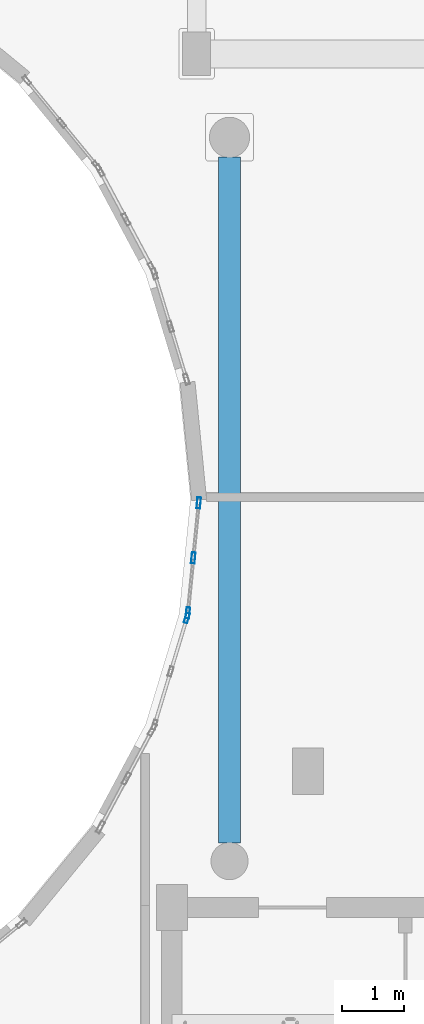
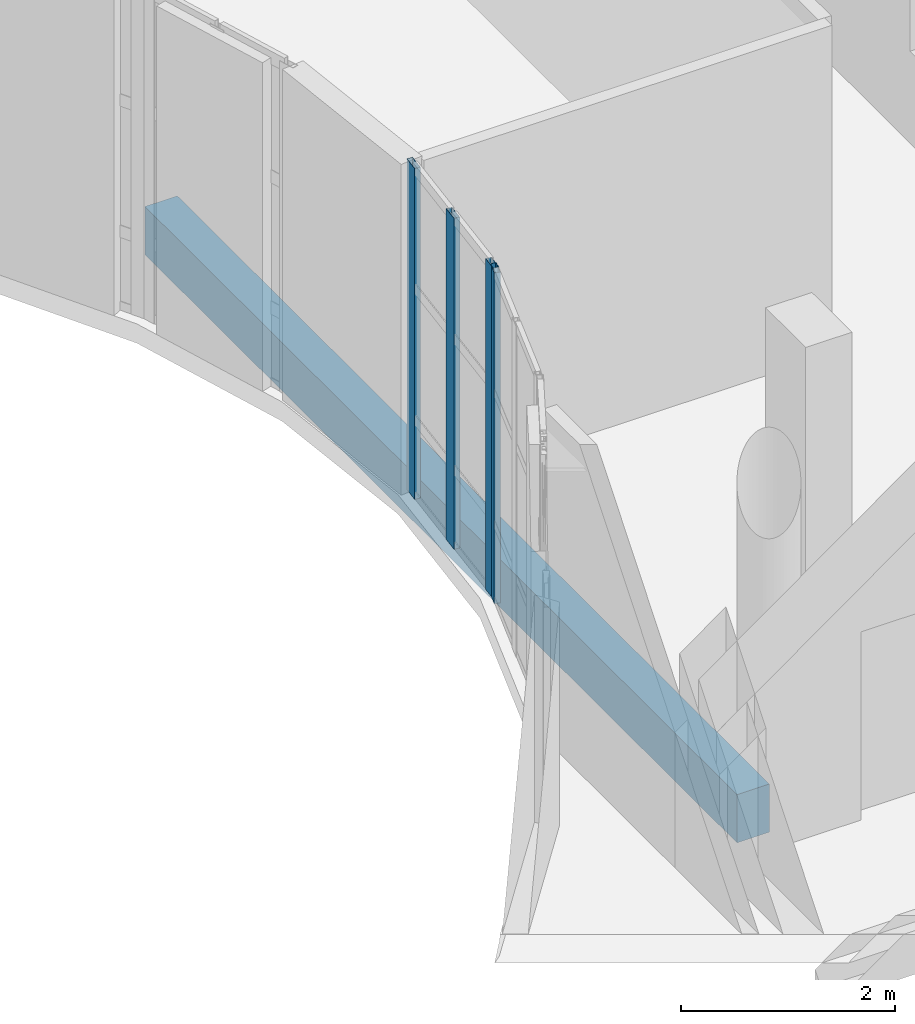
# One storey, part 31 of 89: 4 members, 1 beam, 2 elements without a shape of their own.
"""IFC4 building model written with IfcOpenShell, lengths in metres."""

from ifc_helpers import new_model, si_unit, direction, frame, origin, origin_2d, place, context, subcontext, project, spatial, rectangle, hollow_rectangle, extrude, material, layer, layer_set, material_profile, profile_set, type_object, element, aggregate, save


model = new_model("IFC4")

# Units and contexts
model_context = context("Model", 3, precision=1e-05, world=origin(), true_north=direction((0.0, 1.0)))
body_context = subcontext(model_context, "Body", "Model", "MODEL_VIEW")
ifc_project = project(units=[si_unit("LENGTHUNIT", "METRE"), si_unit("AREAUNIT", "SQUARE_METRE"), si_unit("VOLUMEUNIT", "CUBIC_METRE"), si_unit("PLANEANGLEUNIT", "RADIAN"), si_unit("MASSUNIT", "GRAM", prefix="KILO")], contexts=[model_context])

# Site, building, storey
site_placement = place(None, origin())
site = spatial("IfcSite", under=ifc_project, at=site_placement, CompositionType="ELEMENT")
building_placement = place(site_placement, origin())
building = spatial("IfcBuilding", under=site, at=building_placement, Name="Kelanivale Promenade Academy", CompositionType="ELEMENT")
storey_placement = place(building_placement, frame((0.0, 0.0, 12.199951171875)))
storey = spatial("IfcBuildingStorey", under=building, at=storey_placement, Name="L03", CompositionType="ELEMENT", Elevation=12.199951171875)

# Curtain wall, member
ifc_material_1 = material(Name="Bronze anodised aluminium and solar-control low-E glass", Category="aluminium")
ifc_layer_1 = layer(ifc_material_1, 0.159912109375)
ifc_layer_set_1 = layer_set([ifc_layer_1], Name="Bronze anodised aluminium and solar-control low-E glass")
curtain_wall_type_1 = type_object("IfcCurtainWallType", Name="CW-09 Curtain Wall 1650mm Module", PredefinedType="USERDEFINED", material=ifc_layer_set_1)
curtain_wall_1_placement = place(storey_placement, origin())
curtain_wall_1 = element("IfcCurtainWall", 1, at=curtain_wall_1_placement, inside=storey, type_object=curtain_wall_type_1, Name="L03 courtyard curtain wall CW-09", ObjectType="UNITISED GLAZING", PredefinedType="USERDEFINED")
ifc_material_2 = material(Name="Bronze anodised aluminium EN AW-6063 T6", Category="aluminium")
ifc_material_profile_1 = material_profile(ifc_material_2, hollow_rectangle(XDim=0.06005859375, YDim=0.159912109375, WallThickness=0.00390625, at=origin_2d()), Name="ALU 60x160x4.0")
ifc_profile_set_1 = profile_set([ifc_material_profile_1], Name="Bronze anodised aluminium EN AW-6063 T6")
member_type_1 = type_object("IfcMemberType", Name="CWM-01 ALU 60x160x4.0", PredefinedType="MULLION", material=ifc_profile_set_1)
member_1_placement = place(storey_placement, frame((108.2421875, 54.877197265625, 0.0), z_axis=(0.0, 0.0, 1.0), x_axis=(-0.957024404432, 0.290007395287, 0.0)))
member_1 = element("IfcMember", 2, at=member_1_placement, type_object=member_type_1, Name="CW-09 mullion 3", PredefinedType="MULLION", context=body_context, shape_type="SweptSolid", body=[
    extrude(hollow_rectangle(XDim=0.06005859375, YDim=0.159912109375, WallThickness=0.00390625, at=origin_2d()), origin(), (0.0, 0.0, 1.0), 3.780029296875),
])
aggregate(curtain_wall_1, [member_1])

# Curtain wall, members
ifc_layer_2 = layer(ifc_material_1, 0.169921875)
ifc_layer_set_2 = layer_set([ifc_layer_2], Name="Bronze anodised aluminium and solar-control low-E glass")
curtain_wall_type_2 = type_object("IfcCurtainWallType", Name="CW-10 Curtain Wall 1800mm Module", PredefinedType="USERDEFINED", material=ifc_layer_set_2)
curtain_wall_2_placement = place(storey_placement, origin())
curtain_wall_2 = element("IfcCurtainWall", 3, at=curtain_wall_2_placement, inside=storey, type_object=curtain_wall_type_2, Name="L03 courtyard curtain wall CW-10", ObjectType="UNITISED GLAZING", PredefinedType="USERDEFINED")
ifc_material_profile_2 = material_profile(ifc_material_2, hollow_rectangle(XDim=0.06005859375, YDim=0.179931640625, WallThickness=0.00390625, at=origin_2d()), Name="ALU 60x180x4.0")
ifc_profile_set_2 = profile_set([ifc_material_profile_2], Name="Bronze anodised aluminium EN AW-6063 T6")
member_type_2 = type_object("IfcMemberType", Name="CWM-02 ALU 60x180x4.0", PredefinedType="MULLION", material=ifc_profile_set_2)
member_2_placement = place(storey_placement, frame((108.259033203125, 54.962890625, 0.0), z_axis=(0.0, 0.0, 1.0), x_axis=(-0.99513321337, 0.098538762159, 0.0)))
member_2 = element("IfcMember", 4, at=member_2_placement, type_object=member_type_2, Name="CW-10 mullion 1", PredefinedType="MULLION", context=body_context, shape_type="SweptSolid", body=[
    extrude(hollow_rectangle(XDim=0.06005859375, YDim=0.179931640625, WallThickness=0.00390625, at=origin_2d()), origin(), (0.0, 0.0, 1.0), 3.780029296875),
])
member_3_placement = place(storey_placement, frame((108.346923828125, 55.85205078125, 0.0), z_axis=(0.0, 0.0, 1.0), x_axis=(-0.99513321337, 0.098538762159, 0.0)))
member_3 = element("IfcMember", 5, at=member_3_placement, type_object=member_type_2, Name="CW-10 mullion 2", PredefinedType="MULLION", context=body_context, shape_type="SweptSolid", body=[
    extrude(hollow_rectangle(XDim=0.06005859375, YDim=0.179931640625, WallThickness=0.00390625, at=origin_2d()), origin(), (0.0, 0.0, 1.0), 3.780029296875),
])
member_4_placement = place(storey_placement, frame((108.43505859375, 56.7412109375, 0.0), z_axis=(0.0, 0.0, 1.0), x_axis=(-0.99513321337, 0.098538762159, 0.0)))
member_4 = element("IfcMember", 6, at=member_4_placement, type_object=member_type_2, Name="CW-10 mullion 3", PredefinedType="MULLION", context=body_context, shape_type="SweptSolid", body=[
    extrude(hollow_rectangle(XDim=0.06005859375, YDim=0.179931640625, WallThickness=0.00390625, at=origin_2d()), origin(), (0.0, 0.0, 1.0), 3.780029296875),
])
aggregate(curtain_wall_2, [member_2, member_3, member_4])

# Beam
ifc_material_3 = material(Name="Concrete C35/45", Category="concrete")
ifc_material_profile_3 = material_profile(ifc_material_3, rectangle(XDim=0.35009765625, YDim=0.550048828125, at=origin_2d()), Name="RC-BM 350x550")
ifc_profile_set_3 = profile_set([ifc_material_profile_3], Name="Concrete C35/45")
beam_type = type_object("IfcBeamType", Name="JS-06 RC-BM 350x550", PredefinedType="JOIST", material=ifc_profile_set_3)
beam_placement = place(storey_placement, frame((108.931884765625, 51.2451171875, -0.494873046875), z_axis=(0.0, 1.0, 0.0), x_axis=(-1.0, 0.0, 0.0)))
element("IfcBeam", 7, at=beam_placement, inside=storey, type_object=beam_type, Name="L03 beam JS-06", PredefinedType="JOIST", context=body_context, shape_type="SweptSolid", body=[
    extrude(rectangle(XDim=0.35009765625, YDim=0.550048828125, at=origin_2d()), origin(), (0.0, 0.0, 1.0), 11.0849609375),
])

save(model, "model.ifc")
